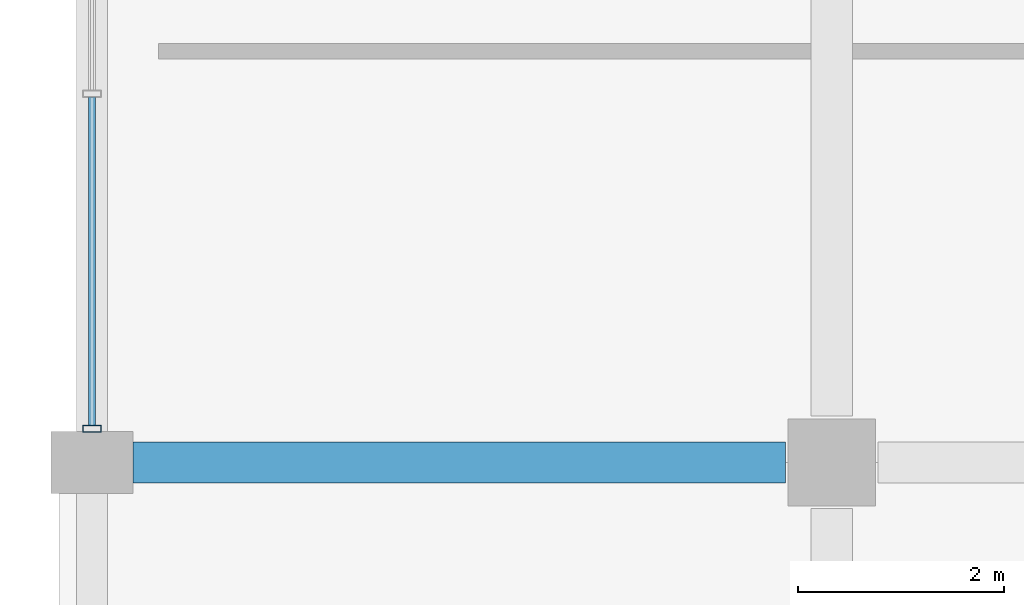
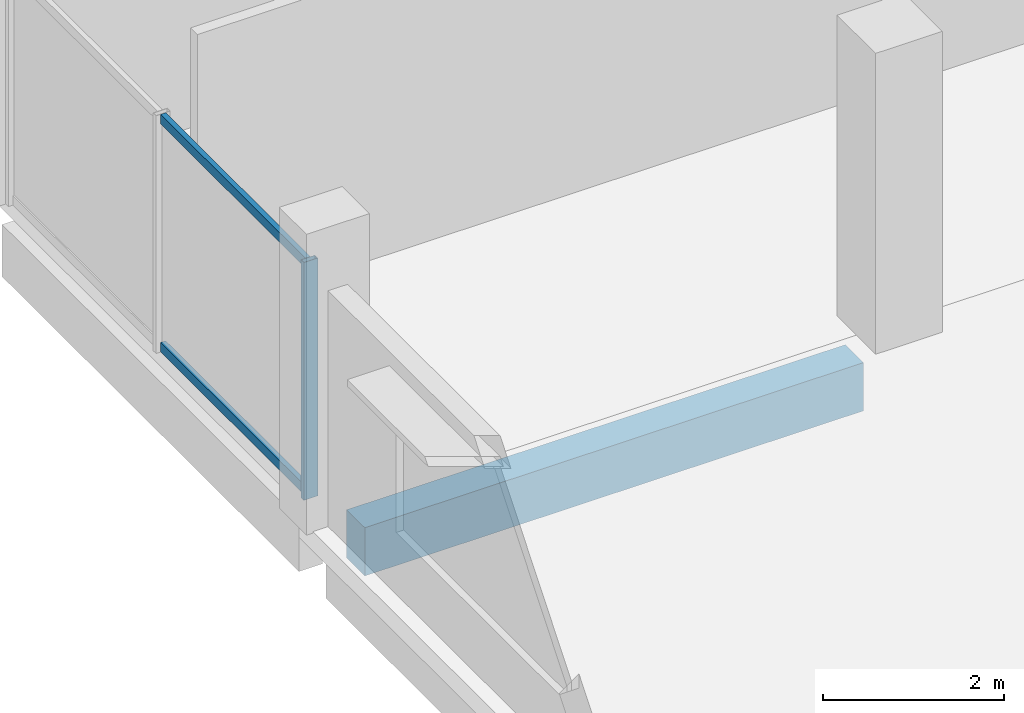
# One storey, part 26 of 107: 3 members, 1 beam, 1 element without a shape of its own.
"""IFC4 building model written with IfcOpenShell, lengths in metres."""

from ifc_helpers import new_model, si_unit, direction, frame, origin, origin_2d, place, context, subcontext, project, spatial, rectangle, hollow_rectangle, extrude, material, layer, layer_set, material_profile, profile_set, type_object, element, aggregate, save


model = new_model("IFC4")

# Units and contexts
model_context = context("Model", 3, precision=1e-05, world=origin(), true_north=direction((0.0, 1.0)))
body_context = subcontext(model_context, "Body", "Model", "MODEL_VIEW")
ifc_project = project(units=[si_unit("LENGTHUNIT", "METRE"), si_unit("AREAUNIT", "SQUARE_METRE"), si_unit("VOLUMEUNIT", "CUBIC_METRE"), si_unit("PLANEANGLEUNIT", "RADIAN"), si_unit("MASSUNIT", "GRAM", prefix="KILO")], contexts=[model_context])

# Site, building, storey
site_placement = place(None, origin())
site = spatial("IfcSite", under=ifc_project, at=site_placement, CompositionType="ELEMENT")
building_placement = place(site_placement, origin())
building = spatial("IfcBuilding", under=site, at=building_placement, Name="Kangsadwip Square Police Headquarters", CompositionType="ELEMENT")
storey_placement = place(building_placement, frame((0.0, 0.0, 5.39990234375)))
storey = spatial("IfcBuildingStorey", under=building, at=storey_placement, Name="L01", CompositionType="ELEMENT", Elevation=5.39990234375)

# Curtain wall, members
ifc_material_1 = material(Name="Thermally broken anodised aluminium AW-6063-T6", Category="aluminium")
ifc_layer = layer(ifc_material_1, 0.159912109375)
ifc_layer_set = layer_set([ifc_layer], Name="Thermally broken anodised aluminium AW-6063-T6")
curtain_wall_type = type_object("IfcCurtainWallType", Name="UnitisedCw6585x3200", PredefinedType="NOTDEFINED", material=ifc_layer_set)
curtain_wall_placement = place(storey_placement, origin())
curtain_wall = element("IfcCurtainWall", 1, at=curtain_wall_placement, inside=storey, type_object=curtain_wall_type, Name="Curtain Wall CW-L01-0000-0939", PredefinedType="NOTDEFINED")
ifc_material_2 = material(Name="Thermally broken anodised aluminium AW-6063-T6", Category="aluminium")
ifc_material_profile_1 = material_profile(ifc_material_2, hollow_rectangle(XDim=0.06494140625, YDim=0.179931640625, WallThickness=0.00390625, at=origin_2d()), Name="CWM 180X65X4")
ifc_profile_set_1 = profile_set([ifc_material_profile_1], Name="Thermally broken anodised aluminium AW-6063-T6")
member_type_1 = type_object("IfcMemberType", Name="CwMullion160x65", PredefinedType="MULLION", material=ifc_profile_set_1)
member_1_placement = place(storey_placement, frame((0.0, 93.927490234375, 0.0), z_axis=(0.0, 0.0, 1.0), x_axis=(0.0, 1.0, 0.0)))
member_1 = element("IfcMember", 2, at=member_1_placement, type_object=member_type_1, Name="CW-21 mullion 1", PredefinedType="MULLION", context=body_context, shape_type="SweptSolid", body=[
    extrude(hollow_rectangle(XDim=0.06494140625, YDim=0.179931640625, WallThickness=0.00390625, at=origin_2d()), origin(), (0.0, 0.0, 1.0), 3.2001953125),
])
ifc_material_3 = material(Name="Thermally broken anodised aluminium AW-6063-T6", Category="aluminium")
ifc_material_profile_2 = material_profile(ifc_material_3, hollow_rectangle(XDim=0.06494140625, YDim=0.1298828125, WallThickness=0.00390625, at=origin_2d()), Name="CWT 130X65X4")
ifc_profile_set_2 = profile_set([ifc_material_profile_2], Name="Thermally broken anodised aluminium AW-6063-T6")
member_type_2 = type_object("IfcMemberType", Name="CwTransom140x60", PredefinedType="USERDEFINED", material=ifc_profile_set_2)
member_2_placement = place(storey_placement, frame((0.0, 93.9599609375, 0.065185546875), z_axis=(0.0, 1.0, 0.0), x_axis=(-1.0, 0.0, 0.0)))
member_2 = element("IfcMember", 3, at=member_2_placement, type_object=member_type_2, Name="CW-21 transom 1.1", ObjectType="TRANSOM", PredefinedType="USERDEFINED", context=body_context, shape_type="SweptSolid", body=[
    extrude(hollow_rectangle(XDim=0.06494140625, YDim=0.1298828125, WallThickness=0.00390625, at=origin_2d()), origin(), (0.0, 0.0, 1.0), 3.195068359375),
])
member_3_placement = place(storey_placement, frame((0.0, 93.9599609375, 3.135009765625), z_axis=(0.0, 1.0, 0.0), x_axis=(-1.0, 0.0, 0.0)))
member_3 = element("IfcMember", 4, at=member_3_placement, type_object=member_type_2, Name="CW-21 transom 1.2", ObjectType="TRANSOM", PredefinedType="USERDEFINED", context=body_context, shape_type="SweptSolid", body=[
    extrude(hollow_rectangle(XDim=0.06494140625, YDim=0.1298828125, WallThickness=0.00390625, at=origin_2d()), origin(), (0.0, 0.0, 1.0), 3.195068359375),
])
aggregate(curtain_wall, [member_1, member_2, member_3])

# Beam
ifc_material_4 = material(Name="Concrete M35 (35 MPa)", Category="concrete")
ifc_material_profile_3 = material_profile(ifc_material_4, rectangle(XDim=0.39990234375, YDim=0.64990234375, at=origin_2d()), Name="RC BM 650X400")
ifc_profile_set_3 = profile_set([ifc_material_profile_3], Name="Concrete M35 (35 MPa)")
beam_type = type_object("IfcBeamType", Name="RcBeam650x400", PredefinedType="BEAM", material=ifc_profile_set_3)
beam_placement = place(storey_placement, frame((0.39990234375, 93.60009765625, -0.56494140625), z_axis=(1.0, 0.0, 0.0), x_axis=(0.0, 1.0, 0.0)))
element("IfcBeam", 5, at=beam_placement, inside=storey, type_object=beam_type, Name="Beam BM-L01-X-00-13", PredefinedType="BEAM", context=body_context, shape_type="SweptSolid", body=[
    extrude(rectangle(XDim=0.39990234375, YDim=0.64990234375, at=origin_2d()), origin(), (0.0, 0.0, 1.0), 6.35009765625),
])

save(model, "model.ifc")
